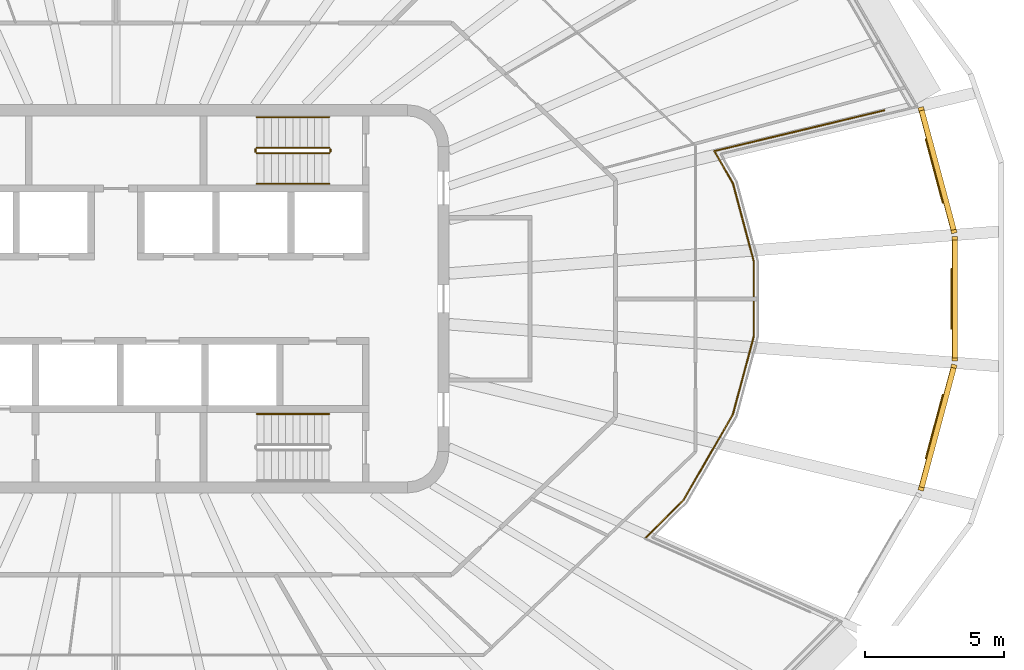
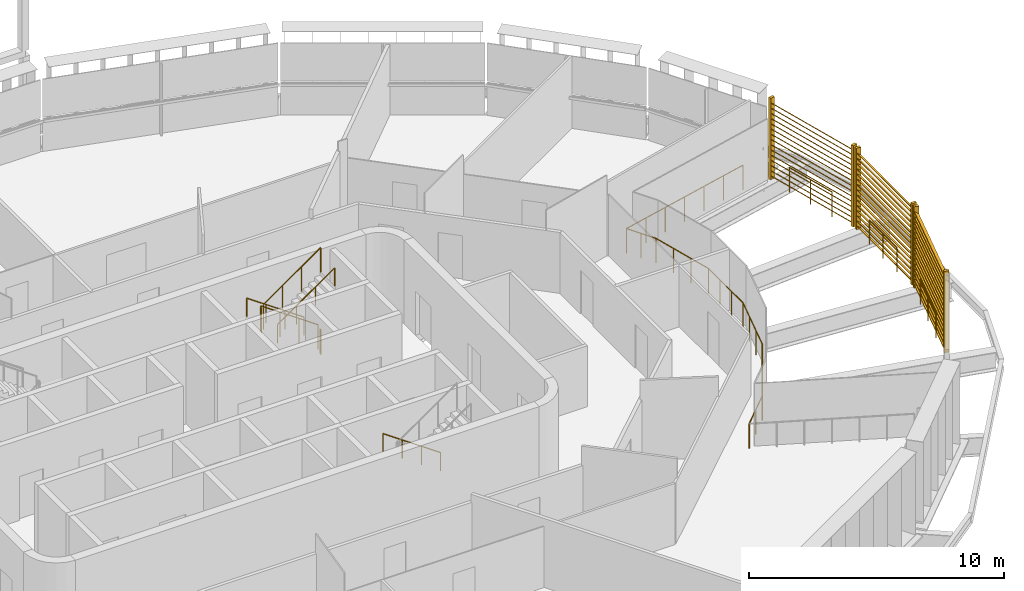
# One storey, part 19 of 21: 11 railings, 3 shading devices.
"""IFC4 building model written with IfcOpenShell, lengths in metres."""

import ifcopenshell
import ifcopenshell.guid

model = None  # the IFC model being written
_history = None  # IfcOwnerHistory: only IFC2X3 demands one
_inside = {}  # id of a spatial element -> (the spatial element, [elements in it])
_under = {}  # id of a project, library or spatial element -> (it, [spatial elements below it])
_declared = {}  # id of a project -> (the project, [libraries it declares])
_typed = {}  # id of a type object -> (the type object, [elements of that type])
_made_of = {}  # id of a material, layer set ... -> (it, [elements and type objects made of it])


def new_model(schema):
    """Start an empty IFC model of exactly this schema.

    Asked for "IFC4X3", IfcOpenShell would pick the latest addendum, in which some entities
    have other attributes; the version numbers below select the first issue.
    IFC2X3 requires an IfcOwnerHistory on every rooted entity: one is made here for all.
    """
    global model, _history
    if schema == "IFC4X3":
        model = ifcopenshell.file(schema_version=(4, 3, 0, 0))
    else:
        model = ifcopenshell.file(schema=schema)
    _inside.clear()
    _under.clear()
    _declared.clear()
    _typed.clear()
    _made_of.clear()
    _history = None
    if model.schema == "IFC2X3":
        org = make("IfcOrganization", Name="unknown")
        user = make(
            "IfcPersonAndOrganization",
            ThePerson=make("IfcPerson", FamilyName="unknown"),
            TheOrganization=org,
        )
        app = make(
            "IfcApplication",
            ApplicationDeveloper=org,
            Version="unknown",
            ApplicationFullName="unknown",
            ApplicationIdentifier="unknown",
        )
        _history = make(
            "IfcOwnerHistory",
            OwningUser=user,
            OwningApplication=app,
            ChangeAction="ADDED",
            CreationDate=0,
        )
    return model


def make(cls, **values):
    """One entity of the class cls with the attributes given. An attribute that is None is left unset."""
    return model.create_entity(
        cls, **{name: value for name, value in values.items() if value is not None}
    )


def rooted(cls, **values):
    """An entity with a GlobalId (a new one), such as an element, a storey or a relation."""
    return make(cls, GlobalId=ifcopenshell.guid.new(), OwnerHistory=_history, **values)


def si_unit(unit_type, name, prefix=None):
    """IfcSIUnit, for example si_unit("LENGTHUNIT", "METRE", prefix="MILLI")."""
    return make("IfcSIUnit", UnitType=unit_type, Prefix=prefix, Name=name)


def assignment(units):
    """IfcUnitAssignment: the units of a project."""
    return None if units is None else make("IfcUnitAssignment", Units=units)


def point(xyz):
    """IfcCartesianPoint."""
    return None if xyz is None else make("IfcCartesianPoint", Coordinates=xyz)


def direction(xyz):
    """IfcDirection."""
    return None if xyz is None else make("IfcDirection", DirectionRatios=xyz)


def frame(location, z_axis=None, x_axis=None):
    """IfcAxis2Placement3D, a coordinate frame: its origin and axes. An axis left out is left unset."""
    return make(
        "IfcAxis2Placement3D",
        Location=point(location),
        Axis=direction(z_axis),
        RefDirection=direction(x_axis),
    )


def frame_2d(location, x_axis=None):
    """IfcAxis2Placement2D, a coordinate frame in the plane: its origin and x axis."""
    return make(
        "IfcAxis2Placement2D", Location=point(location), RefDirection=direction(x_axis)
    )


def origin():
    """The frame at (0, 0, 0) with its axes left unset."""
    return frame((0.0, 0.0, 0.0))


def origin_2d():
    """The frame at (0, 0) in the plane with its x axis left unset."""
    return frame_2d((0.0, 0.0))


def place(relative_to, where):
    """IfcLocalPlacement: puts the frame where relative to a parent placement (None: the world)."""
    return make(
        "IfcLocalPlacement", PlacementRelTo=relative_to, RelativePlacement=where
    )


def context(
    kind, dimensions, precision=None, world=None, true_north=None, identifier=None
):
    """IfcGeometricRepresentationContext, for example the 3D "Model" context."""
    return make(
        "IfcGeometricRepresentationContext",
        ContextIdentifier=identifier,
        ContextType=kind,
        CoordinateSpaceDimension=dimensions,
        Precision=precision,
        WorldCoordinateSystem=world,
        TrueNorth=true_north,
    )


def subcontext(parent, identifier, kind, view, scale=None):
    """IfcGeometricRepresentationSubContext, for example "Body" below "Model"."""
    return make(
        "IfcGeometricRepresentationSubContext",
        ContextIdentifier=identifier,
        ContextType=kind,
        ParentContext=parent,
        TargetScale=scale,
        TargetView=view,
    )


def project(units=None, contexts=None):
    """IfcProject with its units and contexts."""
    return rooted(
        "IfcProject",
        Name="project",
        RepresentationContexts=contexts,
        UnitsInContext=assignment(units),
    )


def spatial(cls, under=None, at=None, **own):
    """A site, building, storey or space (cls), placed at a placement, below another one or the project."""
    s = rooted(cls, ObjectPlacement=at, **own)
    if under is not None:
        _under.setdefault(under.id(), (under, []))[1].append(s)
    return s


def profile(cls, at=None, kind="AREA", **sizes):
    """A parametric profile (cls). Its sizes go by their IFC names, for example OverallWidth=200.0."""
    return make(cls, ProfileType=kind, Position=at, **sizes)


def rectangle(**sizes):
    """IfcRectangleProfileDef."""
    return profile("IfcRectangleProfileDef", **sizes)


def circle(**sizes):
    """IfcCircleProfileDef."""
    return profile("IfcCircleProfileDef", **sizes)


def extrude(swept, where, along, depth):
    """IfcExtrudedAreaSolid: the profile swept, set in the frame where, extruded along a direction by depth."""
    return make(
        "IfcExtrudedAreaSolid",
        SweptArea=swept,
        Position=where,
        ExtrudedDirection=direction(along),
        Depth=depth,
    )


def shape(context_of_items, identifier, shape_type, items):
    """IfcShapeRepresentation: the items that make up one representation, for example the "Body"."""
    return make(
        "IfcShapeRepresentation",
        ContextOfItems=context_of_items,
        RepresentationIdentifier=identifier,
        RepresentationType=shape_type,
        Items=items,
    )


def material(Name=None, Category=None):
    """IfcMaterial."""
    return make("IfcMaterial", Name=Name, Category=Category)


def made_of(thing, what):
    """Note that an element or type object is made of a material, layer set ...; save() writes the relation."""
    if what is not None:
        _made_of.setdefault(what.id(), (what, []))[1].append(thing)
    return thing


def type_object(cls, material=None, **own):
    """A type object (cls), such as IfcWallType, which elements share."""
    return made_of(rooted(cls, **own), material)


def element(
    cls,
    number,
    at=None,
    inside=None,
    cuts=None,
    type_object=None,
    material=None,
    context=None,
    identifier="Body",
    shape_type=None,
    held_by="IfcProductDefinitionShape",
    body=None,
    shapes=None,
    **own,
):
    """One element of the class cls, such as IfcWall. Its Tag is "e" and its number.

    at: its placement. inside: the storey or other place that contains it. cuts: it is an
    opening in that element (IfcRelVoidsElement). A single representation is given by context,
    identifier, shape_type and body (its items); several are given by shapes. held_by: the class
    of the entity that holds the representations. save() writes the other relations.
    """
    e = rooted(cls, Tag="e%d" % number, ObjectPlacement=at, **own)
    if body is not None:
        shapes = [shape(context, identifier, shape_type, body)]
    if shapes is not None:
        e.Representation = make(held_by, Representations=shapes)
    if inside is not None:
        _inside.setdefault(inside.id(), (inside, []))[1].append(e)
    if cuts is not None:
        rooted(
            "IfcRelVoidsElement", RelatingBuildingElement=cuts, RelatedOpeningElement=e
        )
    if type_object is not None:
        _typed.setdefault(type_object.id(), (type_object, []))[1].append(e)
    return made_of(e, material)


def aggregate(whole, parts):
    """IfcRelAggregates: a whole, such as a stair, and the parts it consists of."""
    return rooted("IfcRelAggregates", RelatingObject=whole, RelatedObjects=parts)


def save(model, path):
    """Write the relations noted so far, then the file.

    IfcRelAggregates (storeys below a building ...), IfcRelContainedInSpatialStructure (elements
    in a storey), IfcRelDefinesByType, IfcRelAssociatesMaterial and IfcRelDeclares: one each for
    every whole, place, type object, material and project.
    """
    for whole, parts in _under.values():
        aggregate(whole, parts)
    for where, things in _inside.values():
        rooted(
            "IfcRelContainedInSpatialStructure",
            RelatedElements=things,
            RelatingStructure=where,
        )
    for kind, things in _typed.values():
        rooted("IfcRelDefinesByType", RelatedObjects=things, RelatingType=kind)
    for what, things in _made_of.values():
        rooted("IfcRelAssociatesMaterial", RelatedObjects=things, RelatingMaterial=what)
    for by, libraries in _declared.values():
        rooted("IfcRelDeclares", RelatingContext=by, RelatedDefinitions=libraries)
    model.write(path)


model = new_model("IFC4")

# Units and contexts
model_context = context("Model", 3, precision=1e-05, world=origin(), true_north=direction((0.0, 1.0)))
body_context = subcontext(model_context, "Body", "Model", "MODEL_VIEW")
ifc_project = project(units=[si_unit("LENGTHUNIT", "METRE"), si_unit("AREAUNIT", "SQUARE_METRE"), si_unit("VOLUMEUNIT", "CUBIC_METRE"), si_unit("PLANEANGLEUNIT", "RADIAN"), si_unit("MASSUNIT", "GRAM", prefix="KILO")], contexts=[model_context])

# Site, building, storey
site_placement = place(None, origin())
site = spatial("IfcSite", under=ifc_project, at=site_placement, CompositionType="ELEMENT")
building_placement = place(site_placement, origin())
building = spatial("IfcBuilding", under=site, at=building_placement, Name="Sahrelin Media Tower", CompositionType="ELEMENT")
storey_placement = place(building_placement, frame((0.0, 0.0, 263.0)))
storey = spatial("IfcBuildingStorey", under=building, at=storey_placement, Name="L57", CompositionType="ELEMENT", Elevation=263.0)

# Shading devices
ifc_material_1 = material(Name="Champagne anodised aluminium 6063-T6", Category="aluminium")
shading_device_type = type_object("IfcShadingDeviceType", Name="Garden screen", PredefinedType="USERDEFINED", material=ifc_material_1)
shading_device_1_placement = place(storey_placement, frame((30.138671875, 0.0, 0.0), z_axis=(0.0, 0.0, 1.0), x_axis=(0.0, -1.0, 0.0)))
element("IfcShadingDevice", 1, at=shading_device_1_placement, inside=storey, type_object=shading_device_type, Name="L57:SCREEN:L57-00", ObjectType="SCREEN", PredefinedType="USERDEFINED", context=body_context, shape_type="SweptSolid", body=[
    extrude(rectangle(XDim=0.1201171875, YDim=0.199951171875, at=origin_2d()), frame((2.1865234375, 0.10009765625, 0.050048828125), z_axis=(0.0, 0.0, 1.0), x_axis=(1.0, 0.0, 0.0)), (0.0, 0.0, 1.0), 3.89990234375),
    extrude(rectangle(XDim=0.1201171875, YDim=0.199951171875, at=origin_2d()), frame((-2.1865234375, 0.10009765625, 0.050048828125), z_axis=(0.0, 0.0, 1.0), x_axis=(1.0, 0.0, 0.0)), (0.0, 0.0, 1.0), 3.89990234375),
    extrude(rectangle(XDim=0.25, YDim=0.02001953125, at=origin_2d()), frame((2.126708984375, 0.10009765625, 0.14990234375), z_axis=(-1.0, 0.0, 0.0), x_axis=(0.0, -0.766044443119, 0.642787609687)), (0.0, 0.0, 1.0), 4.25341796875),
    extrude(rectangle(XDim=0.25, YDim=0.02001953125, at=origin_2d()), frame((2.126708984375, 0.10009765625, 0.39990234375), z_axis=(-1.0, 0.0, 0.0), x_axis=(0.0, -0.766044443119, 0.642787609687)), (0.0, 0.0, 1.0), 4.25341796875),
    extrude(rectangle(XDim=0.25, YDim=0.02001953125, at=origin_2d()), frame((2.126708984375, 0.10009765625, 0.64990234375), z_axis=(-1.0, 0.0, 0.0), x_axis=(0.0, -0.766044443119, 0.642787609687)), (0.0, 0.0, 1.0), 4.25341796875),
    extrude(rectangle(XDim=0.25, YDim=0.02001953125, at=origin_2d()), frame((2.126708984375, 0.10009765625, 0.89990234375), z_axis=(-1.0, 0.0, 0.0), x_axis=(0.0, -0.766044443119, 0.642787609687)), (0.0, 0.0, 1.0), 4.25341796875),
    extrude(rectangle(XDim=0.25, YDim=0.02001953125, at=origin_2d()), frame((2.126708984375, 0.10009765625, 1.14990234375), z_axis=(-1.0, 0.0, 0.0), x_axis=(0.0, -0.766044443119, 0.642787609687)), (0.0, 0.0, 1.0), 4.25341796875),
    extrude(rectangle(XDim=0.25, YDim=0.02001953125, at=origin_2d()), frame((2.126708984375, 0.10009765625, 1.39990234375), z_axis=(-1.0, 0.0, 0.0), x_axis=(0.0, -0.766044443119, 0.642787609687)), (0.0, 0.0, 1.0), 4.25341796875),
    extrude(rectangle(XDim=0.25, YDim=0.02001953125, at=origin_2d()), frame((2.126708984375, 0.10009765625, 1.64990234375), z_axis=(-1.0, 0.0, 0.0), x_axis=(0.0, -0.766044443119, 0.642787609687)), (0.0, 0.0, 1.0), 4.25341796875),
    extrude(rectangle(XDim=0.25, YDim=0.02001953125, at=origin_2d()), frame((2.126708984375, 0.10009765625, 1.89990234375), z_axis=(-1.0, 0.0, 0.0), x_axis=(0.0, -0.766044443119, 0.642787609687)), (0.0, 0.0, 1.0), 4.25341796875),
    extrude(rectangle(XDim=0.25, YDim=0.02001953125, at=origin_2d()), frame((2.126708984375, 0.10009765625, 2.14990234375), z_axis=(-1.0, 0.0, 0.0), x_axis=(0.0, -0.766044443119, 0.642787609687)), (0.0, 0.0, 1.0), 4.25341796875),
    extrude(rectangle(XDim=0.25, YDim=0.02001953125, at=origin_2d()), frame((2.126708984375, 0.10009765625, 2.39990234375), z_axis=(-1.0, 0.0, 0.0), x_axis=(0.0, -0.766044443119, 0.642787609687)), (0.0, 0.0, 1.0), 4.25341796875),
    extrude(rectangle(XDim=0.25, YDim=0.02001953125, at=origin_2d()), frame((2.126708984375, 0.10009765625, 2.64990234375), z_axis=(-1.0, 0.0, 0.0), x_axis=(0.0, -0.766044443119, 0.642787609687)), (0.0, 0.0, 1.0), 4.25341796875),
    extrude(rectangle(XDim=0.25, YDim=0.02001953125, at=origin_2d()), frame((2.126708984375, 0.10009765625, 2.89990234375), z_axis=(-1.0, 0.0, 0.0), x_axis=(0.0, -0.766044443119, 0.642787609687)), (0.0, 0.0, 1.0), 4.25341796875),
    extrude(rectangle(XDim=0.25, YDim=0.02001953125, at=origin_2d()), frame((2.126708984375, 0.10009765625, 3.14990234375), z_axis=(-1.0, 0.0, 0.0), x_axis=(0.0, -0.766044443119, 0.642787609687)), (0.0, 0.0, 1.0), 4.25341796875),
    extrude(rectangle(XDim=0.25, YDim=0.02001953125, at=origin_2d()), frame((2.126708984375, 0.10009765625, 3.39990234375), z_axis=(-1.0, 0.0, 0.0), x_axis=(0.0, -0.766044443119, 0.642787609687)), (0.0, 0.0, 1.0), 4.25341796875),
    extrude(rectangle(XDim=0.25, YDim=0.02001953125, at=origin_2d()), frame((2.126708984375, 0.10009765625, 3.64990234375), z_axis=(-1.0, 0.0, 0.0), x_axis=(0.0, -0.766044443119, 0.642787609687)), (0.0, 0.0, 1.0), 4.25341796875),
])
shading_device_2_placement = place(storey_placement, frame((29.517578125, 4.61376953125, 0.0), z_axis=(0.0, 0.0, 1.0), x_axis=(0.258807731996, -0.965928857556, 0.0)))
element("IfcShadingDevice", 2, at=shading_device_2_placement, inside=storey, type_object=shading_device_type, Name="L57:SCREEN:L57-01", ObjectType="SCREEN", PredefinedType="USERDEFINED", context=body_context, shape_type="SweptSolid", body=[
    extrude(rectangle(XDim=0.1201171875, YDim=0.199951171875, at=origin_2d()), frame((2.288818359375, 0.10009765625, 0.050048828125), z_axis=(0.0, 0.0, 1.0), x_axis=(1.0, 0.0, 0.0)), (0.0, 0.0, 1.0), 3.89990234375),
    extrude(rectangle(XDim=0.1201171875, YDim=0.199951171875, at=origin_2d()), frame((-2.288818359375, 0.10009765625, 0.050048828125), z_axis=(0.0, 0.0, 1.0), x_axis=(1.0, 0.0, 0.0)), (0.0, 0.0, 1.0), 3.89990234375),
    extrude(rectangle(XDim=0.25, YDim=0.02001953125, at=origin_2d()), frame((2.22900390625, 0.10009765625, 0.14990234375), z_axis=(-1.0, 0.0, 0.0), x_axis=(0.0, -0.766044443119, 0.642787609687)), (0.0, 0.0, 1.0), 4.4580078125),
    extrude(rectangle(XDim=0.25, YDim=0.02001953125, at=origin_2d()), frame((2.22900390625, 0.10009765625, 0.39990234375), z_axis=(-1.0, 0.0, 0.0), x_axis=(0.0, -0.766044443119, 0.642787609687)), (0.0, 0.0, 1.0), 4.4580078125),
    extrude(rectangle(XDim=0.25, YDim=0.02001953125, at=origin_2d()), frame((2.22900390625, 0.10009765625, 0.64990234375), z_axis=(-1.0, 0.0, 0.0), x_axis=(0.0, -0.766044443119, 0.642787609687)), (0.0, 0.0, 1.0), 4.4580078125),
    extrude(rectangle(XDim=0.25, YDim=0.02001953125, at=origin_2d()), frame((2.22900390625, 0.10009765625, 0.89990234375), z_axis=(-1.0, 0.0, 0.0), x_axis=(0.0, -0.766044443119, 0.642787609687)), (0.0, 0.0, 1.0), 4.4580078125),
    extrude(rectangle(XDim=0.25, YDim=0.02001953125, at=origin_2d()), frame((2.22900390625, 0.10009765625, 1.14990234375), z_axis=(-1.0, 0.0, 0.0), x_axis=(0.0, -0.766044443119, 0.642787609687)), (0.0, 0.0, 1.0), 4.4580078125),
    extrude(rectangle(XDim=0.25, YDim=0.02001953125, at=origin_2d()), frame((2.22900390625, 0.10009765625, 1.39990234375), z_axis=(-1.0, 0.0, 0.0), x_axis=(0.0, -0.766044443119, 0.642787609687)), (0.0, 0.0, 1.0), 4.4580078125),
    extrude(rectangle(XDim=0.25, YDim=0.02001953125, at=origin_2d()), frame((2.22900390625, 0.10009765625, 1.64990234375), z_axis=(-1.0, 0.0, 0.0), x_axis=(0.0, -0.766044443119, 0.642787609687)), (0.0, 0.0, 1.0), 4.4580078125),
    extrude(rectangle(XDim=0.25, YDim=0.02001953125, at=origin_2d()), frame((2.22900390625, 0.10009765625, 1.89990234375), z_axis=(-1.0, 0.0, 0.0), x_axis=(0.0, -0.766044443119, 0.642787609687)), (0.0, 0.0, 1.0), 4.4580078125),
    extrude(rectangle(XDim=0.25, YDim=0.02001953125, at=origin_2d()), frame((2.22900390625, 0.10009765625, 2.14990234375), z_axis=(-1.0, 0.0, 0.0), x_axis=(0.0, -0.766044443119, 0.642787609687)), (0.0, 0.0, 1.0), 4.4580078125),
    extrude(rectangle(XDim=0.25, YDim=0.02001953125, at=origin_2d()), frame((2.22900390625, 0.10009765625, 2.39990234375), z_axis=(-1.0, 0.0, 0.0), x_axis=(0.0, -0.766044443119, 0.642787609687)), (0.0, 0.0, 1.0), 4.4580078125),
    extrude(rectangle(XDim=0.25, YDim=0.02001953125, at=origin_2d()), frame((2.22900390625, 0.10009765625, 2.64990234375), z_axis=(-1.0, 0.0, 0.0), x_axis=(0.0, -0.766044443119, 0.642787609687)), (0.0, 0.0, 1.0), 4.4580078125),
    extrude(rectangle(XDim=0.25, YDim=0.02001953125, at=origin_2d()), frame((2.22900390625, 0.10009765625, 2.89990234375), z_axis=(-1.0, 0.0, 0.0), x_axis=(0.0, -0.766044443119, 0.642787609687)), (0.0, 0.0, 1.0), 4.4580078125),
    extrude(rectangle(XDim=0.25, YDim=0.02001953125, at=origin_2d()), frame((2.22900390625, 0.10009765625, 3.14990234375), z_axis=(-1.0, 0.0, 0.0), x_axis=(0.0, -0.766044443119, 0.642787609687)), (0.0, 0.0, 1.0), 4.4580078125),
    extrude(rectangle(XDim=0.25, YDim=0.02001953125, at=origin_2d()), frame((2.22900390625, 0.10009765625, 3.39990234375), z_axis=(-1.0, 0.0, 0.0), x_axis=(0.0, -0.766044443119, 0.642787609687)), (0.0, 0.0, 1.0), 4.4580078125),
    extrude(rectangle(XDim=0.25, YDim=0.02001953125, at=origin_2d()), frame((2.22900390625, 0.10009765625, 3.64990234375), z_axis=(-1.0, 0.0, 0.0), x_axis=(0.0, -0.766044443119, 0.642787609687)), (0.0, 0.0, 1.0), 4.4580078125),
])
shading_device_3_placement = place(storey_placement, frame((29.517578125, -4.61376953125, 0.0), z_axis=(0.0, 0.0, 1.0), x_axis=(-0.258807731996, -0.965928857556, 0.0)))
element("IfcShadingDevice", 3, at=shading_device_3_placement, inside=storey, type_object=shading_device_type, Name="L57:SCREEN:L57-23", ObjectType="SCREEN", PredefinedType="USERDEFINED", context=body_context, shape_type="SweptSolid", body=[
    extrude(rectangle(XDim=0.1201171875, YDim=0.199951171875, at=origin_2d()), frame((2.288818359375, 0.10009765625, 0.050048828125), z_axis=(0.0, 0.0, 1.0), x_axis=(1.0, 0.0, 0.0)), (0.0, 0.0, 1.0), 3.89990234375),
    extrude(rectangle(XDim=0.1201171875, YDim=0.199951171875, at=origin_2d()), frame((-2.288818359375, 0.10009765625, 0.050048828125), z_axis=(0.0, 0.0, 1.0), x_axis=(1.0, 0.0, 0.0)), (0.0, 0.0, 1.0), 3.89990234375),
    extrude(rectangle(XDim=0.25, YDim=0.02001953125, at=origin_2d()), frame((2.22900390625, 0.10009765625, 0.14990234375), z_axis=(-1.0, 0.0, 0.0), x_axis=(0.0, -0.766044443119, 0.642787609687)), (0.0, 0.0, 1.0), 4.4580078125),
    extrude(rectangle(XDim=0.25, YDim=0.02001953125, at=origin_2d()), frame((2.22900390625, 0.10009765625, 0.39990234375), z_axis=(-1.0, 0.0, 0.0), x_axis=(0.0, -0.766044443119, 0.642787609687)), (0.0, 0.0, 1.0), 4.4580078125),
    extrude(rectangle(XDim=0.25, YDim=0.02001953125, at=origin_2d()), frame((2.22900390625, 0.10009765625, 0.64990234375), z_axis=(-1.0, 0.0, 0.0), x_axis=(0.0, -0.766044443119, 0.642787609687)), (0.0, 0.0, 1.0), 4.4580078125),
    extrude(rectangle(XDim=0.25, YDim=0.02001953125, at=origin_2d()), frame((2.22900390625, 0.10009765625, 0.89990234375), z_axis=(-1.0, 0.0, 0.0), x_axis=(0.0, -0.766044443119, 0.642787609687)), (0.0, 0.0, 1.0), 4.4580078125),
    extrude(rectangle(XDim=0.25, YDim=0.02001953125, at=origin_2d()), frame((2.22900390625, 0.10009765625, 1.14990234375), z_axis=(-1.0, 0.0, 0.0), x_axis=(0.0, -0.766044443119, 0.642787609687)), (0.0, 0.0, 1.0), 4.4580078125),
    extrude(rectangle(XDim=0.25, YDim=0.02001953125, at=origin_2d()), frame((2.22900390625, 0.10009765625, 1.39990234375), z_axis=(-1.0, 0.0, 0.0), x_axis=(0.0, -0.766044443119, 0.642787609687)), (0.0, 0.0, 1.0), 4.4580078125),
    extrude(rectangle(XDim=0.25, YDim=0.02001953125, at=origin_2d()), frame((2.22900390625, 0.10009765625, 1.64990234375), z_axis=(-1.0, 0.0, 0.0), x_axis=(0.0, -0.766044443119, 0.642787609687)), (0.0, 0.0, 1.0), 4.4580078125),
    extrude(rectangle(XDim=0.25, YDim=0.02001953125, at=origin_2d()), frame((2.22900390625, 0.10009765625, 1.89990234375), z_axis=(-1.0, 0.0, 0.0), x_axis=(0.0, -0.766044443119, 0.642787609687)), (0.0, 0.0, 1.0), 4.4580078125),
    extrude(rectangle(XDim=0.25, YDim=0.02001953125, at=origin_2d()), frame((2.22900390625, 0.10009765625, 2.14990234375), z_axis=(-1.0, 0.0, 0.0), x_axis=(0.0, -0.766044443119, 0.642787609687)), (0.0, 0.0, 1.0), 4.4580078125),
    extrude(rectangle(XDim=0.25, YDim=0.02001953125, at=origin_2d()), frame((2.22900390625, 0.10009765625, 2.39990234375), z_axis=(-1.0, 0.0, 0.0), x_axis=(0.0, -0.766044443119, 0.642787609687)), (0.0, 0.0, 1.0), 4.4580078125),
    extrude(rectangle(XDim=0.25, YDim=0.02001953125, at=origin_2d()), frame((2.22900390625, 0.10009765625, 2.64990234375), z_axis=(-1.0, 0.0, 0.0), x_axis=(0.0, -0.766044443119, 0.642787609687)), (0.0, 0.0, 1.0), 4.4580078125),
    extrude(rectangle(XDim=0.25, YDim=0.02001953125, at=origin_2d()), frame((2.22900390625, 0.10009765625, 2.89990234375), z_axis=(-1.0, 0.0, 0.0), x_axis=(0.0, -0.766044443119, 0.642787609687)), (0.0, 0.0, 1.0), 4.4580078125),
    extrude(rectangle(XDim=0.25, YDim=0.02001953125, at=origin_2d()), frame((2.22900390625, 0.10009765625, 3.14990234375), z_axis=(-1.0, 0.0, 0.0), x_axis=(0.0, -0.766044443119, 0.642787609687)), (0.0, 0.0, 1.0), 4.4580078125),
    extrude(rectangle(XDim=0.25, YDim=0.02001953125, at=origin_2d()), frame((2.22900390625, 0.10009765625, 3.39990234375), z_axis=(-1.0, 0.0, 0.0), x_axis=(0.0, -0.766044443119, 0.642787609687)), (0.0, 0.0, 1.0), 4.4580078125),
    extrude(rectangle(XDim=0.25, YDim=0.02001953125, at=origin_2d()), frame((2.22900390625, 0.10009765625, 3.64990234375), z_axis=(-1.0, 0.0, 0.0), x_axis=(0.0, -0.766044443119, 0.642787609687)), (0.0, 0.0, 1.0), 4.4580078125),
])

# Railings
ifc_material_2 = material(Name="Stainless steel 316", Category="steel")
railing_type_1 = type_object("IfcRailingType", Name="Sky garden guard", PredefinedType="GUARDRAIL", material=ifc_material_2)
railing_1_placement = place(storey_placement, frame((19.064697265625, -8.642333984375, 0.0)))
element("IfcRailing", 4, at=railing_1_placement, inside=storey, type_object=railing_type_1, Name="Sky garden void guard G7-1", PredefinedType="GUARDRAIL", context=body_context, shape_type="SweptSolid", body=[
    extrude(circle(Radius=0.02392578125, at=origin_2d()), frame((0.0, 0.0, 1.17578125), z_axis=(0.707106781187, 0.707106781187, 0.0), x_axis=(-0.707106781187, 0.707106781187, 0.0)), (0.0, 0.0, 1.0), 1.9677734375),
    extrude(circle(Radius=0.02392578125, at=origin_2d()), frame((1.391357421875, 1.391357421875, 1.17578125), z_axis=(0.49998591037, 0.866033538283, 0.0), x_axis=(-0.866033538283, 0.49998591037, 0.0)), (0.0, 0.0, 1.0), 3.55615234375),
    extrude(circle(Radius=0.02392578125, at=origin_2d()), frame((3.16943359375, 4.47119140625, 1.17578125), z_axis=(0.25879888125, 0.965931228951, 0.0), x_axis=(-0.965931228951, 0.25879888125, 0.0)), (0.0, 0.0, 1.0), 2.9150390625),
    extrude(circle(Radius=0.02392578125, at=origin_2d()), frame((3.923828125, 7.286865234375, 1.17578125), z_axis=(0.0, 1.0, 0.0), x_axis=(-1.0, 0.0, 0.0)), (0.0, 0.0, 1.0), 2.7109375),
    extrude(circle(Radius=0.02392578125, at=origin_2d()), frame((3.923828125, 9.997802734375, 1.17578125), z_axis=(-0.25879888125, 0.965931228951, 0.0), x_axis=(-0.965931228951, -0.25879888125, 0.0)), (0.0, 0.0, 1.0), 2.9150390625),
    extrude(circle(Radius=0.02392578125, at=origin_2d()), frame((3.16943359375, 12.8134765625, 1.17578125), z_axis=(-0.500113018585, 0.865960142641, 0.0), x_axis=(-0.865960142641, -0.500113018585, 0.0)), (0.0, 0.0, 1.0), 1.334716796875),
    extrude(circle(Radius=0.02392578125, at=origin_2d()), frame((2.501953125, 13.96923828125, 1.17578125), z_axis=(0.97241966907, 0.233238048366, 0.0), x_axis=(-0.233238048366, 0.97241966907, 0.0)), (0.0, 0.0, 1.0), 6.297119140625),
    extrude(circle(Radius=0.02099609375, at=origin_2d()), origin(), (0.0, 0.0, 1.0), 1.15185546875),
    extrude(circle(Radius=0.02099609375, at=origin_2d()), frame((0.69580078125, 0.69580078125, 0.0)), (0.0, 0.0, 1.0), 1.15185546875),
    extrude(circle(Radius=0.02099609375, at=origin_2d()), frame((1.391357421875, 1.391357421875, 0.0)), (0.0, 0.0, 1.0), 1.15185546875),
    extrude(circle(Radius=0.02099609375, at=origin_2d()), frame((1.984130859375, 2.41796875, 0.0)), (0.0, 0.0, 1.0), 1.15185546875),
    extrude(circle(Radius=0.02099609375, at=origin_2d()), frame((2.57666015625, 3.444580078125, 0.0)), (0.0, 0.0, 1.0), 1.15185546875),
    extrude(circle(Radius=0.02099609375, at=origin_2d()), frame((3.16943359375, 4.47119140625, 0.0)), (0.0, 0.0, 1.0), 1.15185546875),
    extrude(circle(Radius=0.02099609375, at=origin_2d()), frame((3.4208984375, 5.40966796875, 0.0)), (0.0, 0.0, 1.0), 1.15185546875),
    extrude(circle(Radius=0.02099609375, at=origin_2d()), frame((3.67236328125, 6.348388671875, 0.0)), (0.0, 0.0, 1.0), 1.15185546875),
    extrude(circle(Radius=0.02099609375, at=origin_2d()), frame((3.923828125, 7.286865234375, 0.0)), (0.0, 0.0, 1.0), 1.15185546875),
    extrude(circle(Radius=0.02099609375, at=origin_2d()), frame((3.923828125, 8.1904296875, 0.0)), (0.0, 0.0, 1.0), 1.15185546875),
    extrude(circle(Radius=0.02099609375, at=origin_2d()), frame((3.923828125, 9.09423828125, 0.0)), (0.0, 0.0, 1.0), 1.15185546875),
    extrude(circle(Radius=0.02099609375, at=origin_2d()), frame((3.923828125, 9.997802734375, 0.0)), (0.0, 0.0, 1.0), 1.15185546875),
    extrude(circle(Radius=0.02099609375, at=origin_2d()), frame((3.67236328125, 10.936279296875, 0.0)), (0.0, 0.0, 1.0), 1.15185546875),
    extrude(circle(Radius=0.02099609375, at=origin_2d()), frame((3.4208984375, 11.875, 0.0)), (0.0, 0.0, 1.0), 1.15185546875),
    extrude(circle(Radius=0.02099609375, at=origin_2d()), frame((3.16943359375, 12.8134765625, 0.0)), (0.0, 0.0, 1.0), 1.15185546875),
    extrude(circle(Radius=0.02099609375, at=origin_2d()), frame((2.835693359375, 13.391357421875, 0.0)), (0.0, 0.0, 1.0), 1.15185546875),
    extrude(circle(Radius=0.02099609375, at=origin_2d()), frame((2.501953125, 13.96923828125, 0.0)), (0.0, 0.0, 1.0), 1.15185546875),
    extrude(circle(Radius=0.02099609375, at=origin_2d()), frame((3.5224609375, 14.214111328125, 0.0)), (0.0, 0.0, 1.0), 1.15185546875),
    extrude(circle(Radius=0.02099609375, at=origin_2d()), frame((4.543212890625, 14.458740234375, 0.0)), (0.0, 0.0, 1.0), 1.15185546875),
    extrude(circle(Radius=0.02099609375, at=origin_2d()), frame((5.563720703125, 14.70361328125, 0.0)), (0.0, 0.0, 1.0), 1.15185546875),
    extrude(circle(Radius=0.02099609375, at=origin_2d()), frame((6.584228515625, 14.948486328125, 0.0)), (0.0, 0.0, 1.0), 1.15185546875),
    extrude(circle(Radius=0.02099609375, at=origin_2d()), frame((7.60498046875, 15.193115234375, 0.0)), (0.0, 0.0, 1.0), 1.15185546875),
    extrude(circle(Radius=0.02099609375, at=origin_2d()), frame((8.62548828125, 15.43798828125, 0.0)), (0.0, 0.0, 1.0), 1.15185546875),
])
railing_2_placement = place(storey_placement, frame((29.189697265625, 5.7509765625, 0.0)))
element("IfcRailing", 5, at=railing_2_placement, inside=storey, type_object=railing_type_1, Name="Sky garden void guard G7-2", PredefinedType="GUARDRAIL", context=body_context, shape_type="SweptSolid", body=[
    extrude(circle(Radius=0.02392578125, at=origin_2d()), frame((0.0, 0.0, 1.17578125), z_axis=(0.258849444522, -0.965917680276, 0.0), x_axis=(0.965917680276, 0.258849444522, 0.0)), (0.0, 0.0, 1.0), 2.368408203125),
    extrude(circle(Radius=0.02099609375, at=origin_2d()), origin(), (0.0, 0.0, 1.0), 1.15185546875),
    extrude(circle(Radius=0.02099609375, at=origin_2d()), frame((0.306640625, -1.143798828125, 0.0)), (0.0, 0.0, 1.0), 1.15185546875),
    extrude(circle(Radius=0.02099609375, at=origin_2d()), frame((0.613037109375, -2.28759765625, 0.0)), (0.0, 0.0, 1.0), 1.15185546875),
])
railing_3_placement = place(storey_placement, frame((30.1162109375, 1.078857421875, 0.0)))
element("IfcRailing", 6, at=railing_3_placement, inside=storey, type_object=railing_type_1, Name="Sky garden void guard G7-3", PredefinedType="GUARDRAIL", context=body_context, shape_type="SweptSolid", body=[
    extrude(circle(Radius=0.02392578125, at=origin_2d()), frame((0.0, 0.0, 1.17578125), z_axis=(0.0, -1.0, 0.0), x_axis=(1.0, 0.0, 0.0)), (0.0, 0.0, 1.0), 2.15771484375),
    extrude(circle(Radius=0.02099609375, at=origin_2d()), origin(), (0.0, 0.0, 1.0), 1.15185546875),
    extrude(circle(Radius=0.02099609375, at=origin_2d()), frame((0.0, -1.078857421875, 0.0)), (0.0, 0.0, 1.0), 1.15185546875),
    extrude(circle(Radius=0.02099609375, at=origin_2d()), frame((0.0, -2.15771484375, 0.0)), (0.0, 0.0, 1.0), 1.15185546875),
])
railing_4_placement = place(storey_placement, frame((29.802734375, -3.46337890625, 0.0)))
element("IfcRailing", 7, at=railing_4_placement, inside=storey, type_object=railing_type_1, Name="Sky garden void guard G7-4", PredefinedType="GUARDRAIL", context=body_context, shape_type="SweptSolid", body=[
    extrude(circle(Radius=0.02392578125, at=origin_2d()), frame((0.0, 0.0, 1.17578125), z_axis=(-0.258849444522, -0.965917680276, 0.0), x_axis=(0.965917680276, -0.258849444522, 0.0)), (0.0, 0.0, 1.0), 2.368408203125),
    extrude(circle(Radius=0.02099609375, at=origin_2d()), origin(), (0.0, 0.0, 1.0), 1.15185546875),
    extrude(circle(Radius=0.02099609375, at=origin_2d()), frame((-0.306640625, -1.143798828125, 0.0)), (0.0, 0.0, 1.0), 1.15185546875),
    extrude(circle(Radius=0.02099609375, at=origin_2d()), frame((-0.613037109375, -2.28759765625, 0.0)), (0.0, 0.0, 1.0), 1.15185546875),
])
ifc_material_3 = material(Name="Steel S355", Category="steel")
railing_type_2 = type_object("IfcRailingType", Name="Stair guard 1200", PredefinedType="GUARDRAIL", material=ifc_material_3)
railing_5_placement = place(storey_placement, frame((7.675048828125, 5.449951171875, 0.181884765625)))
element("IfcRailing", 8, at=railing_5_placement, inside=storey, type_object=railing_type_2, Name="L57 ST3 stair guard 1", PredefinedType="GUARDRAIL", context=body_context, shape_type="SweptSolid", body=[
    extrude(circle(Radius=0.02392578125, at=origin_2d()), frame((0.0, 0.0, 1.17578125), z_axis=(-0.819521025635, 0.0, 0.573049115296), x_axis=(0.0, -1.0, 0.0)), (0.0, 0.0, 1.0), 3.172607421875),
    extrude(circle(Radius=0.02099609375, at=origin_2d()), origin(), (0.0, 0.0, 1.0), 1.15185546875),
    extrude(circle(Radius=0.02099609375, at=origin_2d()), frame((-0.86669921875, 0.0, 0.60595703125)), (0.0, 0.0, 1.0), 1.15185546875),
    extrude(circle(Radius=0.02099609375, at=origin_2d()), frame((-1.7333984375, 0.0, 1.212158203125)), (0.0, 0.0, 1.0), 1.15185546875),
    extrude(circle(Radius=0.02099609375, at=origin_2d()), frame((-2.60009765625, 0.0, 1.818115234375)), (0.0, 0.0, 1.0), 1.15185546875),
])
railing_6_placement = place(storey_placement, frame((5.02490234375, 5.39990234375, 2.0)))
element("IfcRailing", 9, at=railing_6_placement, inside=storey, type_object=railing_type_2, Name="L57 ST3 stair guard 2", PredefinedType="GUARDRAIL", context=body_context, shape_type="SweptSolid", body=[
    extrude(circle(Radius=0.02392578125, at=origin_2d()), frame((0.0, 0.0, 1.17578125), z_axis=(0.0, -1.0, 0.0), x_axis=(1.0, 0.0, 0.0)), (0.0, 0.0, 1.0), 0.099853515625),
    extrude(circle(Radius=0.02099609375, at=origin_2d()), origin(), (0.0, 0.0, 1.0), 1.15185546875),
    extrude(circle(Radius=0.02099609375, at=origin_2d()), frame((0.0, -0.099853515625, 0.0)), (0.0, 0.0, 1.0), 1.15185546875),
])
railing_7_placement = place(storey_placement, frame((5.074951171875, 5.25, 2.181884765625)))
element("IfcRailing", 10, at=railing_7_placement, inside=storey, type_object=railing_type_2, Name="L57 ST3 stair guard 3", PredefinedType="GUARDRAIL", context=body_context, shape_type="SweptSolid", body=[
    extrude(circle(Radius=0.02392578125, at=origin_2d()), frame((0.0, 0.0, 1.17578125), z_axis=(0.819521025635, 0.0, 0.573049115296), x_axis=(0.0, 1.0, 0.0)), (0.0, 0.0, 1.0), 3.172607421875),
    extrude(circle(Radius=0.02099609375, at=origin_2d()), origin(), (0.0, 0.0, 1.0), 1.15185546875),
    extrude(circle(Radius=0.02099609375, at=origin_2d()), frame((0.86669921875, 0.0, 0.60595703125)), (0.0, 0.0, 1.0), 1.15185546875),
    extrude(circle(Radius=0.02099609375, at=origin_2d()), frame((1.7333984375, 0.0, 1.212158203125)), (0.0, 0.0, 1.0), 1.15185546875),
    extrude(circle(Radius=0.02099609375, at=origin_2d()), frame((2.60009765625, 0.0, 1.818115234375)), (0.0, 0.0, 1.0), 1.15185546875),
])
railing_8_placement = place(storey_placement, frame((7.72509765625, 5.39990234375, 0.0)))
element("IfcRailing", 11, at=railing_8_placement, inside=storey, type_object=railing_type_2, Name="L57 ST3 stair guard 4", PredefinedType="GUARDRAIL", context=body_context, shape_type="SweptSolid", body=[
    extrude(circle(Radius=0.02392578125, at=origin_2d()), frame((0.0, 0.0, 1.17578125), z_axis=(0.0, -1.0, 0.0), x_axis=(1.0, 0.0, 0.0)), (0.0, 0.0, 1.0), 0.099853515625),
    extrude(circle(Radius=0.02099609375, at=origin_2d()), origin(), (0.0, 0.0, 1.0), 1.15185546875),
    extrude(circle(Radius=0.02099609375, at=origin_2d()), frame((0.0, -0.099853515625, 0.0)), (0.0, 0.0, 1.0), 1.15185546875),
])
railing_type_3 = type_object("IfcRailingType", Name="Stair handrail 900", PredefinedType="HANDRAIL", material=ifc_material_3)
railing_9_placement = place(storey_placement, frame((7.675048828125, 6.550048828125, 0.181884765625)))
element("IfcRailing", 12, at=railing_9_placement, inside=storey, type_object=railing_type_3, Name="L57 ST3 stair handrail 1", PredefinedType="HANDRAIL", context=body_context, shape_type="SweptSolid", body=[
    extrude(circle(Radius=0.02392578125, at=origin_2d()), frame((0.0, 0.0, 0.8759765625), z_axis=(-0.819521025635, 0.0, 0.573049115296), x_axis=(0.0, -1.0, 0.0)), (0.0, 0.0, 1.0), 3.172607421875),
    extrude(circle(Radius=0.02099609375, at=origin_2d()), origin(), (0.0, 0.0, 1.0), 0.851806640625),
    extrude(circle(Radius=0.02099609375, at=origin_2d()), frame((-0.86669921875, 0.0, 0.60595703125)), (0.0, 0.0, 1.0), 0.851806640625),
    extrude(circle(Radius=0.02099609375, at=origin_2d()), frame((-1.7333984375, 0.0, 1.212158203125)), (0.0, 0.0, 1.0), 0.851806640625),
    extrude(circle(Radius=0.02099609375, at=origin_2d()), frame((-2.60009765625, 0.0, 1.818115234375)), (0.0, 0.0, 1.0), 0.851806640625),
])
railing_10_placement = place(storey_placement, frame((5.074951171875, 4.14990234375, 2.181884765625)))
element("IfcRailing", 13, at=railing_10_placement, inside=storey, type_object=railing_type_3, Name="L57 ST3 stair handrail 2", PredefinedType="HANDRAIL", context=body_context, shape_type="SweptSolid", body=[
    extrude(circle(Radius=0.02392578125, at=origin_2d()), frame((0.0, 0.0, 0.8759765625), z_axis=(0.819521025635, 0.0, 0.573049115296), x_axis=(0.0, 1.0, 0.0)), (0.0, 0.0, 1.0), 3.172607421875),
    extrude(circle(Radius=0.02099609375, at=origin_2d()), origin(), (0.0, 0.0, 1.0), 0.851806640625),
    extrude(circle(Radius=0.02099609375, at=origin_2d()), frame((0.86669921875, 0.0, 0.60595703125)), (0.0, 0.0, 1.0), 0.851806640625),
    extrude(circle(Radius=0.02099609375, at=origin_2d()), frame((1.7333984375, 0.0, 1.212158203125)), (0.0, 0.0, 1.0), 0.851806640625),
    extrude(circle(Radius=0.02099609375, at=origin_2d()), frame((2.60009765625, 0.0, 1.818115234375)), (0.0, 0.0, 1.0), 0.851806640625),
])
railing_11_placement = place(storey_placement, frame((7.675048828125, -4.14990234375, 0.181884765625)))
element("IfcRailing", 14, at=railing_11_placement, inside=storey, type_object=railing_type_3, Name="L57 ST2 stair handrail 1", PredefinedType="HANDRAIL", context=body_context, shape_type="SweptSolid", body=[
    extrude(circle(Radius=0.02392578125, at=origin_2d()), frame((0.0, 0.0, 0.8759765625), z_axis=(-0.819521025635, 0.0, 0.573049115296), x_axis=(0.0, -1.0, 0.0)), (0.0, 0.0, 1.0), 3.172607421875),
    extrude(circle(Radius=0.02099609375, at=origin_2d()), origin(), (0.0, 0.0, 1.0), 0.851806640625),
    extrude(circle(Radius=0.02099609375, at=origin_2d()), frame((-0.86669921875, 0.0, 0.60595703125)), (0.0, 0.0, 1.0), 0.851806640625),
    extrude(circle(Radius=0.02099609375, at=origin_2d()), frame((-1.7333984375, 0.0, 1.212158203125)), (0.0, 0.0, 1.0), 0.851806640625),
    extrude(circle(Radius=0.02099609375, at=origin_2d()), frame((-2.60009765625, 0.0, 1.818115234375)), (0.0, 0.0, 1.0), 0.851806640625),
])

save(model, "model.ifc")
